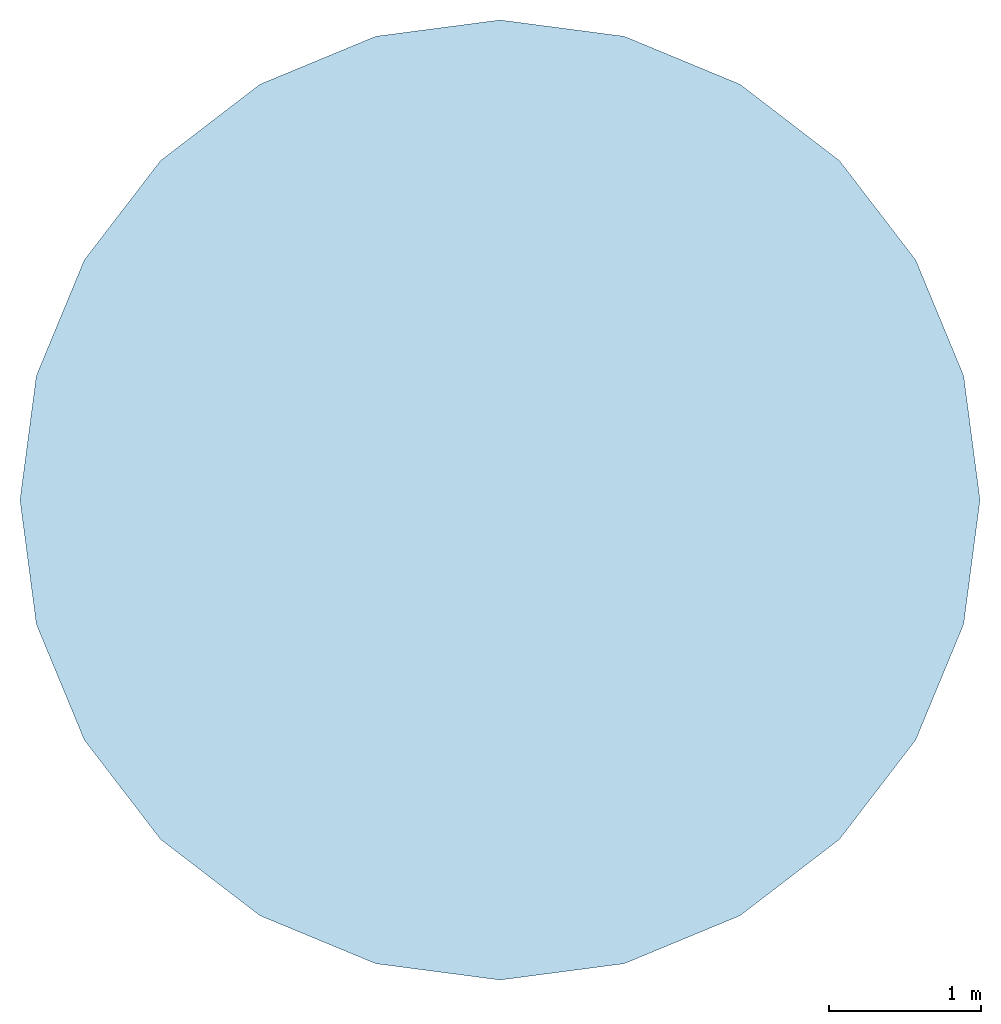
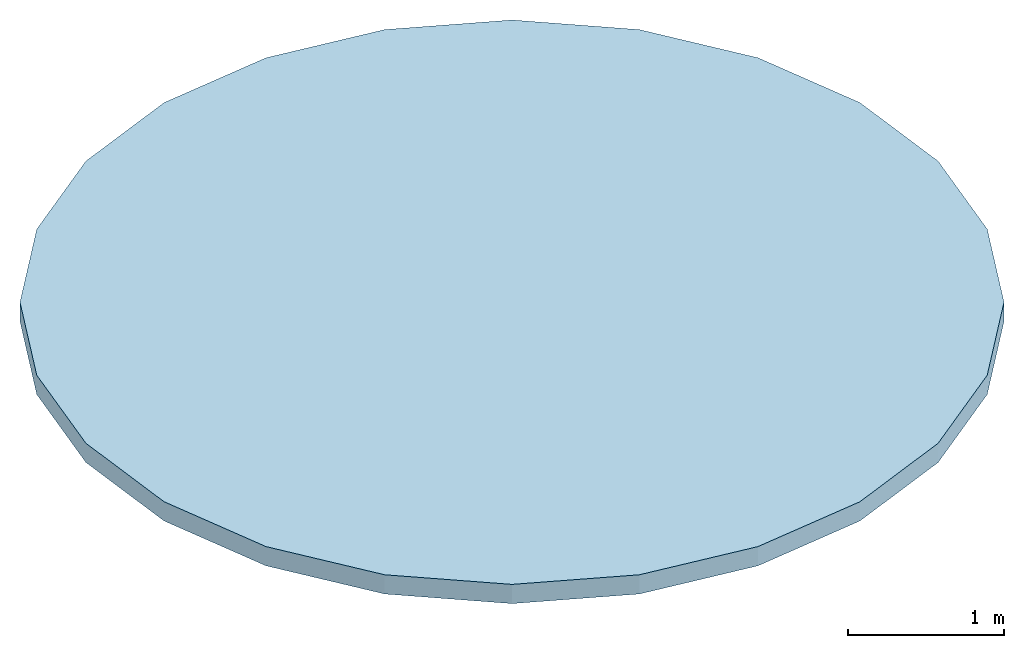
# One storey: 1 slab.
"""IFC4 building model written with IfcOpenShell, lengths in metres."""

from ifc_helpers import new_model, si_unit, direction, frame, origin, place, context, subcontext, project, spatial, polyline, outline, extrude, material, layer, layer_set, type_object, element, save


model = new_model("IFC4")

# Units and contexts
model_context = context("Model", 3, precision=1e-05, world=origin(), true_north=direction((0.0, 1.0)))
body_context = subcontext(model_context, "Body", "Model", "MODEL_VIEW")
ifc_project = project(units=[si_unit("LENGTHUNIT", "METRE"), si_unit("AREAUNIT", "SQUARE_METRE"), si_unit("VOLUMEUNIT", "CUBIC_METRE"), si_unit("PLANEANGLEUNIT", "RADIAN"), si_unit("MASSUNIT", "GRAM", prefix="KILO")], contexts=[model_context])

# Site, building, storey
site_placement = place(None, origin())
site = spatial("IfcSite", under=ifc_project, at=site_placement, CompositionType="ELEMENT")
building_placement = place(site_placement, origin())
building = spatial("IfcBuilding", under=site, at=building_placement, Name="Volute Hill Aquarium", CompositionType="ELEMENT")
storey_placement = place(building_placement, frame((0.0, 0.0, 41.1669921875)))
storey = spatial("IfcBuildingStorey", under=building, at=storey_placement, Name="ROOF 2", CompositionType="ELEMENT", Elevation=41.1669921875)

# Slab
ifc_material = material(Name="Zinc")
ifc_layer = layer(ifc_material, 0.14990234375)
ifc_layer_set = layer_set([ifc_layer], Name="Lantern roof plate 150")
slab_type = type_object("IfcSlabType", Name="Lantern roof plate 150", PredefinedType="ROOF", material=ifc_layer_set)
slab_placement = place(storey_placement, frame((0.0, 0.0, -0.00048828125)))
element("IfcSlab", 1, at=slab_placement, inside=storey, type_object=slab_type, Name="Lantern roof plate LR", PredefinedType="ROOF", context=body_context, shape_type="SweptSolid", body=[
    extrude(outline(polyline([(3.14990234375, 0.0), (3.042724609375, 0.815185546875), (2.72802734375, 1.574951171875), (2.227294921875, 2.227294921875), (1.574951171875, 2.72802734375), (0.815185546875, 3.042724609375), (0.0, 3.14990234375), (-0.815185546875, 3.042724609375), (-1.574951171875, 2.72802734375), (-2.227294921875, 2.227294921875), (-2.72802734375, 1.574951171875), (-3.042724609375, 0.815185546875), (-3.14990234375, 0.0), (-3.042724609375, -0.815185546875), (-2.72802734375, -1.574951171875), (-2.227294921875, -2.227294921875), (-1.574951171875, -2.72802734375), (-0.815185546875, -3.042724609375), (0.0, -3.14990234375), (0.815185546875, -3.042724609375), (1.574951171875, -2.72802734375), (2.227294921875, -2.227294921875), (2.72802734375, -1.574951171875), (3.042724609375, -0.815185546875), (3.14990234375, 0.0)])), origin(), (0.0, 0.0, 1.0), 0.150146484375),
])

save(model, "model.ifc")
